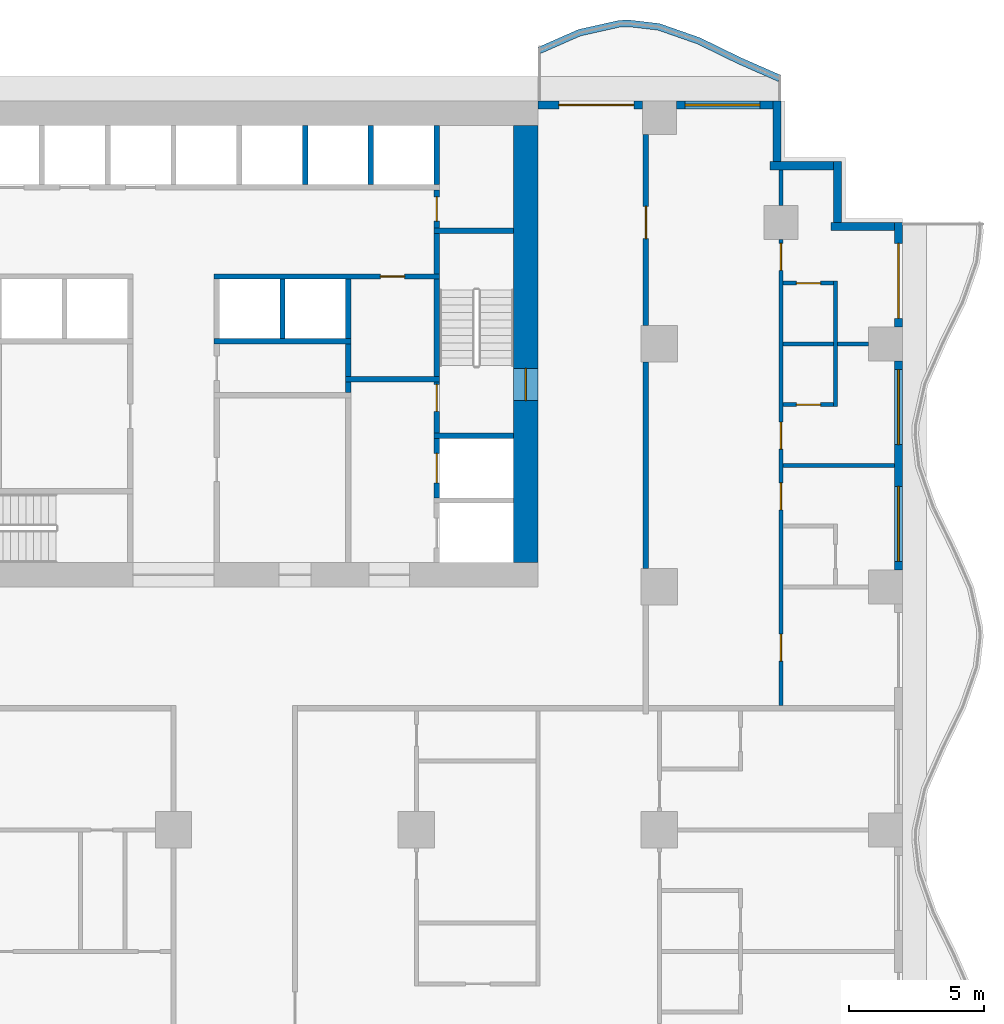
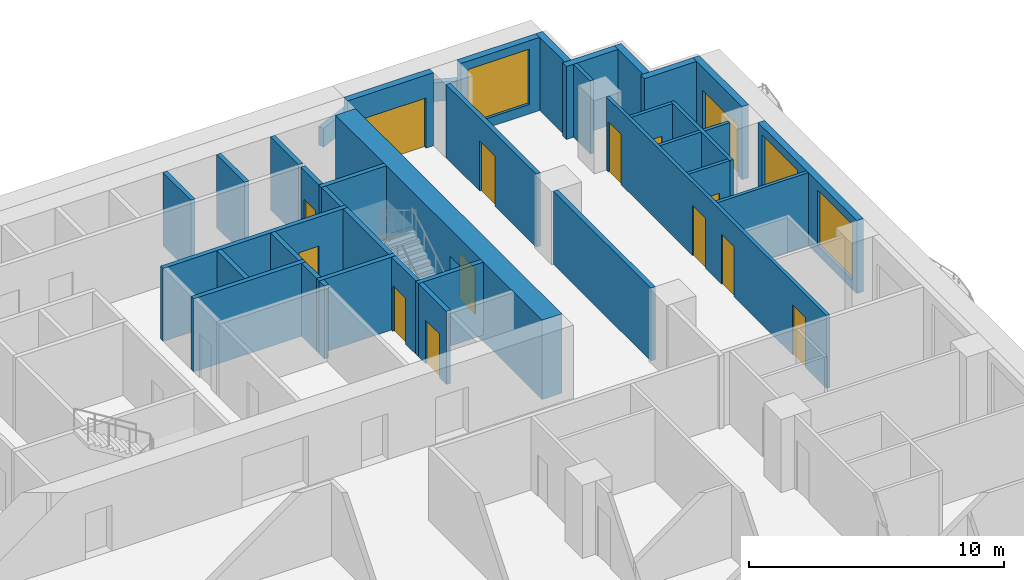
# One storey, part 6 of 14: 37 walls, 14 doors, 3 windows, 17 openings.
"""IFC4 building model written with IfcOpenShell, lengths in metres."""

from ifc_helpers import new_model, si_unit, direction, frame, frame_2d, origin, place, context, subcontext, project, spatial, polyline, rectangle, outline, extrude, material, layer, layer_set, type_object, element, fill, save


model = new_model("IFC4")

# Units and contexts
model_context = context("Model", 3, precision=1e-05, world=origin(), true_north=direction((0.0, 1.0)))
body_context = subcontext(model_context, "Body", "Model", "MODEL_VIEW")
ifc_project = project(units=[si_unit("LENGTHUNIT", "METRE"), si_unit("AREAUNIT", "SQUARE_METRE"), si_unit("VOLUMEUNIT", "CUBIC_METRE"), si_unit("PLANEANGLEUNIT", "RADIAN"), si_unit("MASSUNIT", "GRAM", prefix="KILO")], contexts=[model_context])

# Site, building, storey
site_placement = place(None, origin())
site = spatial("IfcSite", under=ifc_project, at=site_placement, CompositionType="ELEMENT")
building_placement = place(site_placement, origin())
building = spatial("IfcBuilding", under=site, at=building_placement, Name="Orbiselva Terraces", CompositionType="ELEMENT")
storey_placement = place(building_placement, frame((0.0, 0.0, 103.6)))
storey = spatial("IfcBuildingStorey", under=building, at=storey_placement, Name="L26", CompositionType="ELEMENT", Elevation=103.6)

# Wall, opening, door
ifc_material_1 = material(Name="Concrete C80/95", Category="concrete")
ifc_layer_1 = layer(ifc_material_1, 0.9)
ifc_layer_set_1 = layer_set([ifc_layer_1], Name="Concrete C80/95")
wall_type_1 = type_object("IfcWallType", Name="CORE WALL 900", PredefinedType="SHEAR", material=ifc_layer_set_1)
wall_1_placement = place(storey_placement, frame((13.05, 5.4, -0.3), z_axis=(0.0, 0.0, 1.0), x_axis=(0.0, 1.0, 0.0)))
wall_1 = element("IfcWall", 1, at=wall_1_placement, inside=storey, type_object=wall_type_1, Name="Core wall L26 east", PredefinedType="SHEAR", context=body_context, shape_type="SweptSolid", body=[
    extrude(rectangle(XDim=16.2, YDim=0.9, at=frame_2d((8.1, 0.0))), origin(), (0.0, 0.0, 1.0), 3.8),
])
opening_1_placement = place(wall_1_placement, frame((6.0, 0.0, 0.3)))
opening_1 = element("IfcOpeningElement", 2, at=opening_1_placement, cuts=wall_1, Name="Opening DS1200", PredefinedType="OPENING", context=body_context, shape_type="SweptSolid", body=[
    extrude(rectangle(XDim=1.2, YDim=2.2, at=frame_2d((0.6, 1.1))), frame((0.0, 0.46, 0.0), z_axis=(0.0, -1.0, 0.0), x_axis=(1.0, 0.0, 0.0)), (0.0, 0.0, 1.0), 0.92),
])
ifc_material_2 = material(Name="Steel fire door", Category="steel")
door_type_1 = type_object("IfcDoorType", Name="STAIR DOOR 1200", OperationType="NOTDEFINED", PredefinedType="DOOR", material=ifc_material_2)
door_1_placement = place(opening_1_placement, frame((1.2, 0.0, 0.0), z_axis=(0.0, 0.0, 1.0), x_axis=(-1.0, 0.0, 0.0)))
door_1 = element("IfcDoor", 3, at=door_1_placement, inside=storey, type_object=door_type_1, Name="L26 EXIT STAIR S2 door", OperationType="SINGLE_SWING_LEFT", OverallHeight=2.2, OverallWidth=1.2, PredefinedType="DOOR", context=body_context, shape_type="SweptSolid", body=[
    extrude(rectangle(XDim=1.2, YDim=2.2, at=frame_2d((0.6, 1.1))), frame((0.0, 0.025, 0.0), z_axis=(0.0, -1.0, 0.0), x_axis=(1.0, 0.0, 0.0)), (0.0, 0.0, 1.0), 0.05),
])
fill(opening_1, door_1)

# Wall
ifc_material_3 = material(Name="Masonry blockwork", Category="masonry")
ifc_layer_2 = layer(ifc_material_3, 0.2)
ifc_layer_set_2 = layer_set([ifc_layer_2], Name="Masonry blockwork")
wall_type_2 = type_object("IfcWallType", Name="CORE-WALL-PARTITION-200", PredefinedType="PARTITIONING", material=ifc_layer_set_2)
wall_2_placement = place(storey_placement, frame((6.475, 12.3, 0.0), z_axis=(0.0, 0.0, 1.0), x_axis=(0.0, 1.0, 0.0)))
element("IfcWall", 4, at=wall_2_placement, inside=storey, type_object=wall_type_2, Name="L26 core wall 35", PredefinedType="PARTITIONING", context=body_context, shape_type="SweptSolid", body=[
    extrude(rectangle(XDim=1.2, YDim=0.2, at=frame_2d((0.6, 0.0))), origin(), (0.0, 0.0, 1.0), 3.5),
])

# Wall, opening, door
wall_3_placement = place(storey_placement, frame((9.75, 19.2, 0.0), z_axis=(0.0, 0.0, 1.0), x_axis=(0.0, -1.0, 0.0)))
wall_3 = element("IfcWall", 5, at=wall_3_placement, inside=storey, type_object=wall_type_2, Name="L26 core wall 46", PredefinedType="PARTITIONING", context=body_context, shape_type="SweptSolid", body=[
    extrude(rectangle(XDim=1.4, YDim=0.2, at=frame_2d((0.7, 0.0))), origin(), (0.0, 0.0, 1.0), 3.5),
])
opening_2_placement = place(wall_3_placement, frame((0.25, 0.0, 0.0)))
opening_2 = element("IfcOpeningElement", 6, at=opening_2_placement, cuts=wall_3, Name="Opening DR900", PredefinedType="OPENING", context=body_context, shape_type="SweptSolid", body=[
    extrude(rectangle(XDim=0.9, YDim=2.1, at=frame_2d((0.45, 1.05))), frame((0.0, 0.11, 0.0), z_axis=(0.0, -1.0, 0.0), x_axis=(1.0, 0.0, 0.0)), (0.0, 0.0, 1.0), 0.22),
])
door_type_2 = type_object("IfcDoorType", Name="ROOM DOOR 900", OperationType="NOTDEFINED", PredefinedType="DOOR", material=ifc_material_2)
door_2_placement = place(opening_2_placement, origin())
door_2 = element("IfcDoor", 7, at=door_2_placement, inside=storey, type_object=door_type_2, Name="L26 COMMS RISER ROOM door", OperationType="SINGLE_SWING_RIGHT", OverallHeight=2.1, OverallWidth=0.9, PredefinedType="DOOR", context=body_context, shape_type="SweptSolid", body=[
    extrude(rectangle(XDim=0.9, YDim=2.1, at=frame_2d((0.45, 1.05))), frame((0.0, 0.025, 0.0), z_axis=(0.0, -1.0, 0.0), x_axis=(1.0, 0.0, 0.0)), (0.0, 0.0, 1.0), 0.05),
])
fill(opening_2, door_2)

# Walls
ifc_material_4 = material(Name="Concrete C40/50", Category="concrete")
ifc_layer_3 = layer(ifc_material_4, 0.2)
ifc_layer_set_3 = layer_set([ifc_layer_3], Name="Concrete C40/50")
wall_type_3 = type_object("IfcWallType", Name="CORE-WALL-SHAFT-200", PredefinedType="PARTITIONING", material=ifc_layer_set_3)
for number, where, z_axis, x_axis, name in (
    (8, (4.0375, 13.7, 0.0), (0.0, 0.0, 1.0), (0.0, 1.0, 0.0), "L26 core wall 30"),
    (9, (4.875, 19.4, 0.0), (0.0, 0.0, 1.0), (0.0, 1.0, 0.0), "L26 core wall 31"),
    (10, (6.475, 13.7, 0.0), (0.0, 0.0, 1.0), (0.0, 1.0, 0.0), "L26 core wall 36"),
    (11, (7.3125, 19.4, 0.0), (0.0, 0.0, 1.0), (0.0, 1.0, 0.0), "L26 core wall 37"),
    (12, (9.75, 19.4, 0.0), (0.0, 0.0, 1.0), (0.0, 1.0, 0.0), "L26 core wall 47"),
):
    element("IfcWall", number, at=place(storey_placement, frame(where, z_axis=z_axis, x_axis=x_axis)), inside=storey, type_object=wall_type_3, Name=name, PredefinedType="PARTITIONING", context=body_context, shape_type="SweptSolid", body=[
        extrude(rectangle(XDim=2.2, YDim=0.2, at=frame_2d((1.1, 0.0))), origin(), (0.0, 0.0, 1.0), 3.5),
    ])
ifc_material_5 = material(Name="Concrete C60/75", Category="concrete")
ifc_layer_4 = layer(ifc_material_5, 0.2)
ifc_layer_set_4 = layer_set([ifc_layer_4], Name="Concrete C60/75")
wall_type_4 = type_object("IfcWallType", Name="CORE-WALL-SHEAR-200", PredefinedType="SHEAR", material=ifc_layer_set_4)
wall_4_placement = place(storey_placement, frame((1.5, 13.6, 0.0), z_axis=(0.0, 0.0, 1.0), x_axis=(1.0, 0.0, 0.0)))
element("IfcWall", 13, at=wall_4_placement, inside=storey, type_object=wall_type_4, Name="L26 core wall 26", PredefinedType="SHEAR", context=body_context, shape_type="SweptSolid", body=[
    extrude(rectangle(XDim=5.075, YDim=0.2, at=frame_2d((2.5375, 0.0))), origin(), (0.0, 0.0, 1.0), 3.5),
])

# Wall, opening, door
wall_5_placement = place(storey_placement, frame((9.85, 16.0, 0.0), z_axis=(0.0, 0.0, 1.0), x_axis=(-1.0, 0.0, 0.0)))
wall_5 = element("IfcWall", 14, at=wall_5_placement, inside=storey, type_object=wall_type_4, Name="L26 core wall 28", PredefinedType="SHEAR", context=body_context, shape_type="SweptSolid", body=[
    extrude(rectangle(XDim=8.35, YDim=0.2, at=frame_2d((4.175, 0.0))), origin(), (0.0, 0.0, 1.0), 3.5),
])
opening_3_placement = place(wall_5_placement, frame((1.2875, 0.0, 0.0)))
opening_3 = element("IfcOpeningElement", 15, at=opening_3_placement, cuts=wall_5, Name="Opening DR900", PredefinedType="OPENING", context=body_context, shape_type="SweptSolid", body=[
    extrude(rectangle(XDim=0.9, YDim=2.1, at=frame_2d((0.45, 1.05))), frame((0.0, 0.11, 0.0), z_axis=(0.0, -1.0, 0.0), x_axis=(1.0, 0.0, 0.0)), (0.0, 0.0, 1.0), 0.22),
])
door_3_placement = place(opening_3_placement, origin())
door_3 = element("IfcDoor", 16, at=door_3_placement, inside=storey, type_object=door_type_2, Name="L26 PIPE RISER ROOM door", OperationType="SINGLE_SWING_LEFT", OverallHeight=2.1, OverallWidth=0.9, PredefinedType="DOOR", context=body_context, shape_type="SweptSolid", body=[
    extrude(rectangle(XDim=0.9, YDim=2.1, at=frame_2d((0.45, 1.05))), frame((0.0, 0.025, 0.0), z_axis=(0.0, -1.0, 0.0), x_axis=(1.0, 0.0, 0.0)), (0.0, 0.0, 1.0), 0.05),
])
fill(opening_3, door_3)

# Walls
wall_6_placement = place(storey_placement, frame((6.475, 11.7, 0.0), z_axis=(0.0, 0.0, 1.0), x_axis=(0.0, 1.0, 0.0)))
element("IfcWall", 17, at=wall_6_placement, inside=storey, type_object=wall_type_4, Name="L26 core wall 33", PredefinedType="SHEAR", context=body_context, shape_type="SweptSolid", body=[
    extrude(rectangle(XDim=0.4, YDim=0.2, at=frame_2d((0.2, 0.0))), origin(), (0.0, 0.0, 1.0), 3.5),
])
wall_7_placement = place(storey_placement, frame((6.375, 12.2, 0.0), z_axis=(0.0, 0.0, 1.0), x_axis=(1.0, 0.0, 0.0)))
element("IfcWall", 18, at=wall_7_placement, inside=storey, type_object=wall_type_4, Name="L26 core wall 34", PredefinedType="SHEAR", context=body_context, shape_type="SweptSolid", body=[
    extrude(rectangle(XDim=3.475, YDim=0.2, at=frame_2d((1.7375, 0.0))), origin(), (0.0, 0.0, 1.0), 3.5),
])

# Wall, opening, door
wall_8_placement = place(storey_placement, frame((9.75, 7.8, 0.0), z_axis=(0.0, 0.0, 1.0), x_axis=(0.0, 1.0, 0.0)))
wall_8 = element("IfcWall", 19, at=wall_8_placement, inside=storey, type_object=wall_type_4, Name="L26 core wall 40", PredefinedType="SHEAR", context=body_context, shape_type="SweptSolid", body=[
    extrude(rectangle(XDim=2.2, YDim=0.2, at=frame_2d((1.1, 0.0))), origin(), (0.0, 0.0, 1.0), 3.5),
])
opening_4_placement = place(wall_8_placement, frame((0.55, 0.0, 0.0)))
opening_4 = element("IfcOpeningElement", 20, at=opening_4_placement, cuts=wall_8, Name="Opening LD-FF2", PredefinedType="OPENING", context=body_context, shape_type="SweptSolid", body=[
    extrude(rectangle(XDim=1.1, YDim=2.1, at=frame_2d((0.55, 1.05))), frame((0.0, 0.11, 0.0), z_axis=(0.0, -1.0, 0.0), x_axis=(1.0, 0.0, 0.0)), (0.0, 0.0, 1.0), 0.22),
])
ifc_material_6 = material(Name="Stainless steel landing door", Category="steel")
door_type_3 = type_object("IfcDoorType", Name="LANDING DOOR 1100", OperationType="SLIDING_TO_LEFT", PredefinedType="DOOR", material=ifc_material_6)
door_4_placement = place(opening_4_placement, origin())
door_4 = element("IfcDoor", 21, at=door_4_placement, inside=storey, type_object=door_type_3, Name="L26 landing door FF2", OperationType="SLIDING_TO_RIGHT", OverallHeight=2.1, OverallWidth=1.1, PredefinedType="DOOR", context=body_context, shape_type="SweptSolid", body=[
    extrude(rectangle(XDim=1.1, YDim=2.1, at=frame_2d((0.55, 1.05))), frame((0.0, 0.025, 0.0), z_axis=(0.0, -1.0, 0.0), x_axis=(1.0, 0.0, 0.0)), (0.0, 0.0, 1.0), 0.05),
])
fill(opening_4, door_4)

# Wall
wall_9_placement = place(storey_placement, frame((9.65, 10.1, 0.0), z_axis=(0.0, 0.0, 1.0), x_axis=(1.0, 0.0, 0.0)))
element("IfcWall", 22, at=wall_9_placement, inside=storey, type_object=wall_type_4, Name="L26 core wall 41", PredefinedType="SHEAR", context=body_context, shape_type="SweptSolid", body=[
    extrude(rectangle(XDim=2.95, YDim=0.2, at=frame_2d((1.475, 0.0))), origin(), (0.0, 0.0, 1.0), 3.5),
])

# Wall, opening, door
wall_10_placement = place(storey_placement, frame((9.75, 12.1, 0.0), z_axis=(0.0, 0.0, 1.0), x_axis=(0.0, -1.0, 0.0)))
wall_10 = element("IfcWall", 23, at=wall_10_placement, inside=storey, type_object=wall_type_4, Name="L26 core wall 42", PredefinedType="SHEAR", context=body_context, shape_type="SweptSolid", body=[
    extrude(rectangle(XDim=1.9, YDim=0.2, at=frame_2d((0.95, 0.0))), origin(), (0.0, 0.0, 1.0), 3.5),
])
opening_5_placement = place(wall_10_placement, frame((0.1, 0.0, 0.0)))
opening_5 = element("IfcOpeningElement", 24, at=opening_5_placement, cuts=wall_10, Name="Opening DS1000", PredefinedType="OPENING", context=body_context, shape_type="SweptSolid", body=[
    extrude(rectangle(XDim=1.0, YDim=2.2, at=frame_2d((0.5, 1.1))), frame((0.0, 0.11, 0.0), z_axis=(0.0, -1.0, 0.0), x_axis=(1.0, 0.0, 0.0)), (0.0, 0.0, 1.0), 0.22),
])
door_type_4 = type_object("IfcDoorType", Name="STAIR DOOR 1000", OperationType="NOTDEFINED", PredefinedType="DOOR", material=ifc_material_2)
door_5_placement = place(opening_5_placement, origin())
door_5 = element("IfcDoor", 25, at=door_5_placement, inside=storey, type_object=door_type_4, Name="L26 FIRE-FIGHTING LOBBY TO EXIT STAIR S2 door", OperationType="SINGLE_SWING_LEFT", OverallHeight=2.2, OverallWidth=1.0, PredefinedType="DOOR", context=body_context, shape_type="SweptSolid", body=[
    extrude(rectangle(XDim=1.0, YDim=2.2, at=frame_2d((0.5, 1.1))), frame((0.0, 0.025, 0.0), z_axis=(0.0, -1.0, 0.0), x_axis=(1.0, 0.0, 0.0)), (0.0, 0.0, 1.0), 0.05),
])
fill(opening_5, door_5)

# Walls
wall_11_placement = place(storey_placement, frame((9.75, 12.3, 0.0), z_axis=(0.0, 0.0, 1.0), x_axis=(0.0, 1.0, 0.0)))
element("IfcWall", 26, at=wall_11_placement, inside=storey, type_object=wall_type_4, Name="L26 core wall 43", PredefinedType="SHEAR", context=body_context, shape_type="SweptSolid", body=[
    extrude(rectangle(XDim=3.6, YDim=0.2, at=frame_2d((1.8, 0.0))), origin(), (0.0, 0.0, 1.0), 3.5),
])
wall_12_placement = place(storey_placement, frame((9.75, 16.1, 0.0), z_axis=(0.0, 0.0, 1.0), x_axis=(0.0, 1.0, 0.0)))
element("IfcWall", 27, at=wall_12_placement, inside=storey, type_object=wall_type_4, Name="L26 core wall 44", PredefinedType="SHEAR", context=body_context, shape_type="SweptSolid", body=[
    extrude(rectangle(XDim=1.5, YDim=0.2, at=frame_2d((0.75, 0.0))), origin(), (0.0, 0.0, 1.0), 3.5),
])
wall_13_placement = place(storey_placement, frame((9.65, 17.7, 0.0), z_axis=(0.0, 0.0, 1.0), x_axis=(1.0, 0.0, 0.0)))
element("IfcWall", 28, at=wall_13_placement, inside=storey, type_object=wall_type_4, Name="L26 core wall 45", PredefinedType="SHEAR", context=body_context, shape_type="SweptSolid", body=[
    extrude(rectangle(XDim=2.95, YDim=0.2, at=frame_2d((1.475, 0.0))), origin(), (0.0, 0.0, 1.0), 3.5),
])
ifc_layer_5 = layer(ifc_material_4, 0.25)
ifc_layer_set_5 = layer_set([ifc_layer_5], Name="Concrete C40/50")
wall_type_5 = type_object("IfcWallType", Name="ENV-PLANTER-250x900", PredefinedType="USERDEFINED", material=ifc_layer_set_5)
wall_14_placement = place(storey_placement, origin())
element("IfcWall", 29, at=wall_14_placement, inside=storey, type_object=wall_type_5, Name="Balcony planter L26 NE", ObjectType="PLANTER", PredefinedType="USERDEFINED", context=body_context, shape_type="SweptSolid", body=[
    extrude(outline(polyline([(22.5, 23.451472), (21.0, 24.112279), (19.5, 24.844789), (18.0, 25.369208), (16.875, 25.5), (16.5, 25.485226), (15.0, 25.148528), (13.5, 24.487721), (13.600788, 24.258938), (15.078508, 24.90993), (16.532565, 25.236315), (16.865428, 25.249429), (17.943629, 25.124078), (19.40356, 24.613667), (20.894714, 23.885477), (22.399212, 23.222689), (22.5, 23.451472)])), origin(), (0.0, 0.0, 1.0), 0.9),
])

# Wall, openings, windows
ifc_material_7 = material(Name="Terracotta cladding on masonry backing", Category="masonry")
ifc_layer_6 = layer(ifc_material_7, 0.3)
ifc_layer_set_6 = layer_set([ifc_layer_6], Name="Terracotta cladding on masonry backing")
wall_type_6 = type_object("IfcWallType", Name="ENV-WALL-TERRACOTTA-300", PredefinedType="SOLIDWALL", material=ifc_layer_set_6)
wall_15_placement = place(storey_placement, frame((26.85, 12.875, 0.0), z_axis=(0.0, 0.0, 1.0), x_axis=(0.0, -1.0, 0.0)))
wall_15 = element("IfcWall", 30, at=wall_15_placement, inside=storey, type_object=wall_type_6, Name="Facade wall L26 E", PredefinedType="SOLIDWALL", context=body_context, shape_type="SweptSolid", body=[
    extrude(rectangle(XDim=7.75, YDim=0.3, at=frame_2d((3.875, 0.0))), origin(), (0.0, 0.0, 1.0), 3.5),
])
opening_6_placement = place(wall_15_placement, frame((4.65, 0.0, 0.45)))
opening_6 = element("IfcOpeningElement", 31, at=opening_6_placement, cuts=wall_15, Name="Opening WN6", PredefinedType="OPENING", context=body_context, shape_type="SweptSolid", body=[
    extrude(rectangle(XDim=2.775, YDim=2.65, at=frame_2d((1.3875, 1.325))), frame((0.0, 0.16, 0.0), z_axis=(0.0, -1.0, 0.0), x_axis=(1.0, 0.0, 0.0)), (0.0, 0.0, 1.0), 0.32),
])
opening_7_placement = place(wall_15_placement, frame((0.325, 0.0, 0.45)))
opening_7 = element("IfcOpeningElement", 32, at=opening_7_placement, cuts=wall_15, Name="Opening WN6", PredefinedType="OPENING", context=body_context, shape_type="SweptSolid", body=[
    extrude(rectangle(XDim=2.775, YDim=2.65, at=frame_2d((1.3875, 1.325))), frame((0.0, 0.16, 0.0), z_axis=(0.0, -1.0, 0.0), x_axis=(1.0, 0.0, 0.0)), (0.0, 0.0, 1.0), 0.32),
])
ifc_material_8 = material(Name="Clear low-e glazing in aluminium frame", Category="aluminium")
window_type = type_object("IfcWindowType", Name="WINDOW 2775 X 2650 S450", PartitioningType="TRIPLE_PANEL_VERTICAL", PredefinedType="WINDOW", material=ifc_material_8)
window_1_placement = place(opening_6_placement, origin())
window_1 = element("IfcWindow", 33, at=window_1_placement, inside=storey, type_object=window_type, Name="Window L26 E", OverallHeight=2.65, OverallWidth=2.775, PartitioningType="SINGLE_PANEL", PredefinedType="WINDOW", context=body_context, shape_type="SweptSolid", body=[
    extrude(rectangle(XDim=2.775, YDim=2.65, at=frame_2d((1.3875, 1.325))), frame((0.0, 0.03, 0.0), z_axis=(0.0, -1.0, 0.0), x_axis=(1.0, 0.0, 0.0)), (0.0, 0.0, 1.0), 0.06),
])
fill(opening_6, window_1)
window_2_placement = place(opening_7_placement, origin())
window_2 = element("IfcWindow", 34, at=window_2_placement, inside=storey, type_object=window_type, Name="Window L26 E", OverallHeight=2.65, OverallWidth=2.775, PartitioningType="SINGLE_PANEL", PredefinedType="WINDOW", context=body_context, shape_type="SweptSolid", body=[
    extrude(rectangle(XDim=2.775, YDim=2.65, at=frame_2d((1.3875, 1.325))), frame((0.0, 0.03, 0.0), z_axis=(0.0, -1.0, 0.0), x_axis=(1.0, 0.0, 0.0)), (0.0, 0.0, 1.0), 0.06),
])
fill(opening_7, window_2)

# Wall, opening, door
wall_16_placement = place(storey_placement, frame((26.85, 18.0, 0.0), z_axis=(0.0, 0.0, 1.0), x_axis=(0.0, -1.0, 0.0)))
wall_16 = element("IfcWall", 35, at=wall_16_placement, inside=storey, type_object=wall_type_6, Name="Facade wall L26 E", PredefinedType="SOLIDWALL", context=body_context, shape_type="SweptSolid", body=[
    extrude(rectangle(XDim=3.875, YDim=0.3, at=frame_2d((1.9375, 0.0))), origin(), (0.0, 0.0, 1.0), 3.5),
])
opening_8_placement = place(wall_16_placement, frame((0.775, 0.0, 0.0)))
opening_8 = element("IfcOpeningElement", 36, at=opening_8_placement, cuts=wall_16, Name="Opening Z2-D-E07", PredefinedType="OPENING", context=body_context, shape_type="SweptSolid", body=[
    extrude(rectangle(XDim=2.775, YDim=2.4, at=frame_2d((1.3875, 1.2))), frame((0.0, 0.16, 0.0), z_axis=(0.0, -1.0, 0.0), x_axis=(1.0, 0.0, 0.0)), (0.0, 0.0, 1.0), 0.32),
])
door_type_5 = type_object("IfcDoorType", Name="BALCONY DOOR 2775 X 2400", OperationType="DOUBLE_DOOR_SLIDING", PredefinedType="DOOR", material=ifc_material_8)
door_6_placement = place(opening_8_placement, origin())
door_6 = element("IfcDoor", 37, at=door_6_placement, inside=storey, type_object=door_type_5, Name="Z2-D-E07", OperationType="SINGLE_SWING_LEFT", OverallHeight=2.4, OverallWidth=2.775, PredefinedType="DOOR", context=body_context, shape_type="SweptSolid", body=[
    extrude(rectangle(XDim=2.775, YDim=2.4, at=frame_2d((1.3875, 1.2))), frame((0.0, 0.025, 0.0), z_axis=(0.0, -1.0, 0.0), x_axis=(1.0, 0.0, 0.0)), (0.0, 0.0, 1.0), 0.05),
])
fill(opening_8, door_6)

# Walls
wall_17_placement = place(storey_placement, frame((24.35, 17.85, 0.0), z_axis=(0.0, 0.0, 1.0), x_axis=(1.0, 0.0, 0.0)))
element("IfcWall", 38, at=wall_17_placement, inside=storey, type_object=wall_type_6, Name="Facade wall L26 STEP", PredefinedType="SOLIDWALL", context=body_context, shape_type="SweptSolid", body=[
    extrude(rectangle(XDim=2.35, YDim=0.3, at=frame_2d((1.175, 0.0))), origin(), (0.0, 0.0, 1.0), 3.5),
])
wall_18_placement = place(storey_placement, frame((24.6, 20.25, 0.0), z_axis=(0.0, 0.0, 1.0), x_axis=(0.0, -1.0, 0.0)))
element("IfcWall", 39, at=wall_18_placement, inside=storey, type_object=wall_type_6, Name="Facade wall L26 STEP", PredefinedType="SOLIDWALL", context=body_context, shape_type="SweptSolid", body=[
    extrude(rectangle(XDim=2.25, YDim=0.3, at=frame_2d((1.125, 0.0))), origin(), (0.0, 0.0, 1.0), 3.5),
])
wall_19_placement = place(storey_placement, frame((22.1, 20.1, 0.0), z_axis=(0.0, 0.0, 1.0), x_axis=(1.0, 0.0, 0.0)))
element("IfcWall", 40, at=wall_19_placement, inside=storey, type_object=wall_type_6, Name="Facade wall L26 STEP", PredefinedType="SOLIDWALL", context=body_context, shape_type="SweptSolid", body=[
    extrude(rectangle(XDim=2.35, YDim=0.3, at=frame_2d((1.175, 0.0))), origin(), (0.0, 0.0, 1.0), 3.5),
])
wall_20_placement = place(storey_placement, frame((22.35, 22.5, 0.0), z_axis=(0.0, 0.0, 1.0), x_axis=(0.0, -1.0, 0.0)))
element("IfcWall", 41, at=wall_20_placement, inside=storey, type_object=wall_type_6, Name="Facade wall L26 STEP", PredefinedType="SOLIDWALL", context=body_context, shape_type="SweptSolid", body=[
    extrude(rectangle(XDim=2.25, YDim=0.3, at=frame_2d((1.125, 0.0))), origin(), (0.0, 0.0, 1.0), 3.5),
])

# Wall, opening, window
wall_21_placement = place(storey_placement, frame((18.625, 22.35, 0.0), z_axis=(0.0, 0.0, 1.0), x_axis=(1.0, 0.0, 0.0)))
wall_21 = element("IfcWall", 42, at=wall_21_placement, inside=storey, type_object=wall_type_6, Name="Facade wall L26 NE", PredefinedType="SOLIDWALL", context=body_context, shape_type="SweptSolid", body=[
    extrude(rectangle(XDim=3.575, YDim=0.3, at=frame_2d((1.7875, 0.0))), origin(), (0.0, 0.0, 1.0), 3.5),
])
opening_9_placement = place(wall_21_placement, frame((0.325, 0.0, 0.45)))
opening_9 = element("IfcOpeningElement", 43, at=opening_9_placement, cuts=wall_21, Name="Opening WN6", PredefinedType="OPENING", context=body_context, shape_type="SweptSolid", body=[
    extrude(rectangle(XDim=2.775, YDim=2.65, at=frame_2d((1.3875, 1.325))), frame((0.0, 0.16, 0.0), z_axis=(0.0, -1.0, 0.0), x_axis=(1.0, 0.0, 0.0)), (0.0, 0.0, 1.0), 0.32),
])
window_3_placement = place(opening_9_placement, origin())
window_3 = element("IfcWindow", 44, at=window_3_placement, inside=storey, type_object=window_type, Name="Window L26 NE", OverallHeight=2.65, OverallWidth=2.775, PartitioningType="SINGLE_PANEL", PredefinedType="WINDOW", context=body_context, shape_type="SweptSolid", body=[
    extrude(rectangle(XDim=2.775, YDim=2.65, at=frame_2d((1.3875, 1.325))), frame((0.0, 0.03, 0.0), z_axis=(0.0, -1.0, 0.0), x_axis=(1.0, 0.0, 0.0)), (0.0, 0.0, 1.0), 0.06),
])
fill(opening_9, window_3)

# Wall, opening, door
wall_22_placement = place(storey_placement, frame((13.5, 22.35, 0.0), z_axis=(0.0, 0.0, 1.0), x_axis=(1.0, 0.0, 0.0)))
wall_22 = element("IfcWall", 45, at=wall_22_placement, inside=storey, type_object=wall_type_6, Name="Facade wall L26 NE", PredefinedType="SOLIDWALL", context=body_context, shape_type="SweptSolid", body=[
    extrude(rectangle(XDim=3.875, YDim=0.3, at=frame_2d((1.9375, 0.0))), origin(), (0.0, 0.0, 1.0), 3.5),
])
opening_10_placement = place(wall_22_placement, frame((0.775, 0.0, 0.0)))
opening_10 = element("IfcOpeningElement", 46, at=opening_10_placement, cuts=wall_22, Name="Opening Z2-D-E08", PredefinedType="OPENING", context=body_context, shape_type="SweptSolid", body=[
    extrude(rectangle(XDim=2.775, YDim=2.4, at=frame_2d((1.3875, 1.2))), frame((0.0, 0.16, 0.0), z_axis=(0.0, -1.0, 0.0), x_axis=(1.0, 0.0, 0.0)), (0.0, 0.0, 1.0), 0.32),
])
door_7_placement = place(opening_10_placement, origin())
door_7 = element("IfcDoor", 47, at=door_7_placement, inside=storey, type_object=door_type_5, Name="Z2-D-E08", OperationType="SINGLE_SWING_LEFT", OverallHeight=2.4, OverallWidth=2.775, PredefinedType="DOOR", context=body_context, shape_type="SweptSolid", body=[
    extrude(rectangle(XDim=2.775, YDim=2.4, at=frame_2d((1.3875, 1.2))), frame((0.0, 0.025, 0.0), z_axis=(0.0, -1.0, 0.0), x_axis=(1.0, 0.0, 0.0)), (0.0, 0.0, 1.0), 0.05),
])
fill(opening_10, door_7)

# Wall
ifc_material_9 = material(Name="Plasterboard on steel stud partition", Category="steel")
ifc_layer_7 = layer(ifc_material_9, 0.2)
ifc_layer_set_7 = layer_set([ifc_layer_7], Name="Plasterboard on steel stud partition")
wall_type_7 = type_object("IfcWallType", Name="UNIT-ENTRANCE-WALL-200", PredefinedType="PARTITIONING", material=ifc_layer_set_7)
wall_23_placement = place(storey_placement, frame((17.5, 5.175, 0.0), z_axis=(0.0, 0.0, 1.0), x_axis=(0.0, 1.0, 0.0)))
element("IfcWall", 48, at=wall_23_placement, inside=storey, type_object=wall_type_7, Name="PARTITION L26-080", PredefinedType="PARTITIONING", context=body_context, shape_type="SweptSolid", body=[
    extrude(rectangle(XDim=7.65, YDim=0.2, at=frame_2d((3.825, 0.0))), origin(), (0.0, 0.0, 1.0), 3.5),
])

# Wall, opening, door
wall_24_placement = place(storey_placement, frame((17.5, 21.25, 0.0), z_axis=(0.0, 0.0, 1.0), x_axis=(0.0, -1.0, 0.0)))
wall_24 = element("IfcWall", 49, at=wall_24_placement, inside=storey, type_object=wall_type_7, Name="PARTITION L26-081", PredefinedType="PARTITIONING", context=body_context, shape_type="SweptSolid", body=[
    extrude(rectangle(XDim=7.075, YDim=0.2, at=frame_2d((3.5375, 0.0))), origin(), (0.0, 0.0, 1.0), 3.5),
])
opening_11_placement = place(wall_24_placement, frame((2.65, 0.0, 0.0)))
opening_11 = element("IfcOpeningElement", 50, at=opening_11_placement, cuts=wall_24, Name="Opening Z2-D-07", PredefinedType="OPENING", context=body_context, shape_type="SweptSolid", body=[
    extrude(rectangle(XDim=1.2, YDim=2.4, at=frame_2d((0.6, 1.2))), frame((0.0, 0.11, 0.0), z_axis=(0.0, -1.0, 0.0), x_axis=(1.0, 0.0, 0.0)), (0.0, 0.0, 1.0), 0.22),
])
ifc_material_10 = material(Name="Painted timber door leaf", Category="wood")
door_type_6 = type_object("IfcDoorType", Name="ENTRANCE DOOR 1200", OperationType="NOTDEFINED", PredefinedType="DOOR", material=ifc_material_10)
door_8_placement = place(opening_11_placement, origin())
door_8 = element("IfcDoor", 51, at=door_8_placement, inside=storey, type_object=door_type_6, Name="Z2-D-07", OperationType="SINGLE_SWING_LEFT", OverallHeight=2.4, OverallWidth=1.2, PredefinedType="DOOR", context=body_context, shape_type="SweptSolid", body=[
    extrude(rectangle(XDim=1.2, YDim=2.4, at=frame_2d((0.6, 1.2))), frame((0.0, 0.025, 0.0), z_axis=(0.0, -1.0, 0.0), x_axis=(1.0, 0.0, 0.0)), (0.0, 0.0, 1.0), 0.05),
])
fill(opening_11, door_8)

# Wall
ifc_layer_8 = layer(ifc_material_9, 0.15)
ifc_layer_set_8 = layer_set([ifc_layer_8], Name="Plasterboard on steel stud partition")
wall_type_8 = type_object("IfcWallType", Name="UNIT-PARTITION-150", PredefinedType="PARTITIONING", material=ifc_layer_set_8)
wall_25_placement = place(storey_placement, frame((22.575, 9.0, 0.0), z_axis=(0.0, 0.0, 1.0), x_axis=(1.0, 0.0, 0.0)))
element("IfcWall", 52, at=wall_25_placement, inside=storey, type_object=wall_type_8, Name="PARTITION L26-036", PredefinedType="PARTITIONING", context=body_context, shape_type="SweptSolid", body=[
    extrude(rectangle(XDim=4.125, YDim=0.15, at=frame_2d((2.0625, 0.0))), origin(), (0.0, 0.0, 1.0), 3.5),
])

# Wall, opening, door
wall_26_placement = place(storey_placement, frame((22.575, 11.25, 0.0), z_axis=(0.0, 0.0, 1.0), x_axis=(1.0, 0.0, 0.0)))
wall_26 = element("IfcWall", 53, at=wall_26_placement, inside=storey, type_object=wall_type_8, Name="PARTITION L26-038", PredefinedType="PARTITIONING", context=body_context, shape_type="SweptSolid", body=[
    extrude(rectangle(XDim=1.875, YDim=0.15, at=frame_2d((0.9375, 0.0))), origin(), (0.0, 0.0, 1.0), 3.5),
])
opening_12_placement = place(wall_26_placement, frame((0.5, 0.0, 0.0)))
opening_12 = element("IfcOpeningElement", 54, at=opening_12_placement, cuts=wall_26, Name="Opening Z2-D-12", PredefinedType="OPENING", context=body_context, shape_type="SweptSolid", body=[
    extrude(rectangle(XDim=0.9, YDim=2.1, at=frame_2d((0.45, 1.05))), frame((0.0, 0.085, 0.0), z_axis=(0.0, -1.0, 0.0), x_axis=(1.0, 0.0, 0.0)), (0.0, 0.0, 1.0), 0.17),
])
door_type_7 = type_object("IfcDoorType", Name="BATH DOOR 900", OperationType="NOTDEFINED", PredefinedType="DOOR", material=ifc_material_10)
door_9_placement = place(opening_12_placement, origin())
door_9 = element("IfcDoor", 55, at=door_9_placement, inside=storey, type_object=door_type_7, Name="Z2-D-12", OperationType="SINGLE_SWING_RIGHT", OverallHeight=2.1, OverallWidth=0.9, PredefinedType="DOOR", context=body_context, shape_type="SweptSolid", body=[
    extrude(rectangle(XDim=0.9, YDim=2.1, at=frame_2d((0.45, 1.05))), frame((0.0, 0.025, 0.0), z_axis=(0.0, -1.0, 0.0), x_axis=(1.0, 0.0, 0.0)), (0.0, 0.0, 1.0), 0.05),
])
fill(opening_12, door_9)

# Walls
wall_27_placement = place(storey_placement, frame((22.575, 13.5, 0.0), z_axis=(0.0, 0.0, 1.0), x_axis=(1.0, 0.0, 0.0)))
element("IfcWall", 56, at=wall_27_placement, inside=storey, type_object=wall_type_8, Name="PARTITION L26-041", PredefinedType="PARTITIONING", context=body_context, shape_type="SweptSolid", body=[
    extrude(rectangle(XDim=1.875, YDim=0.15, at=frame_2d((0.9375, 0.0))), origin(), (0.0, 0.0, 1.0), 3.5),
])
wall_28_placement = place(storey_placement, frame((24.6, 13.5, 0.0), z_axis=(0.0, 0.0, 1.0), x_axis=(1.0, 0.0, 0.0)))
element("IfcWall", 57, at=wall_28_placement, inside=storey, type_object=wall_type_8, Name="PARTITION L26-042", PredefinedType="PARTITIONING", context=body_context, shape_type="SweptSolid", body=[
    extrude(rectangle(XDim=1.15, YDim=0.15, at=frame_2d((0.575, 0.0))), origin(), (0.0, 0.0, 1.0), 3.5),
])

# Wall, opening, door
wall_29_placement = place(storey_placement, frame((24.45, 15.75, 0.0), z_axis=(0.0, 0.0, 1.0), x_axis=(-1.0, 0.0, 0.0)))
wall_29 = element("IfcWall", 58, at=wall_29_placement, inside=storey, type_object=wall_type_8, Name="PARTITION L26-044", PredefinedType="PARTITIONING", context=body_context, shape_type="SweptSolid", body=[
    extrude(rectangle(XDim=1.875, YDim=0.15, at=frame_2d((0.9375, 0.0))), origin(), (0.0, 0.0, 1.0), 3.5),
])
opening_13_placement = place(wall_29_placement, frame((0.475, 0.0, 0.0)))
opening_13 = element("IfcOpeningElement", 59, at=opening_13_placement, cuts=wall_29, Name="Opening Z2-D-14", PredefinedType="OPENING", context=body_context, shape_type="SweptSolid", body=[
    extrude(rectangle(XDim=0.9, YDim=2.1, at=frame_2d((0.45, 1.05))), frame((0.0, 0.085, 0.0), z_axis=(0.0, -1.0, 0.0), x_axis=(1.0, 0.0, 0.0)), (0.0, 0.0, 1.0), 0.17),
])
door_10_placement = place(opening_13_placement, origin())
door_10 = element("IfcDoor", 60, at=door_10_placement, inside=storey, type_object=door_type_7, Name="Z2-D-14", OperationType="SINGLE_SWING_LEFT", OverallHeight=2.1, OverallWidth=0.9, PredefinedType="DOOR", context=body_context, shape_type="SweptSolid", body=[
    extrude(rectangle(XDim=0.9, YDim=2.1, at=frame_2d((0.45, 1.05))), frame((0.0, 0.025, 0.0), z_axis=(0.0, -1.0, 0.0), x_axis=(1.0, 0.0, 0.0)), (0.0, 0.0, 1.0), 0.05),
])
fill(opening_13, door_10)

# Wall, openings, doors
wall_30_placement = place(storey_placement, frame((22.5, 17.375, 0.0), z_axis=(0.0, 0.0, 1.0), x_axis=(0.0, -1.0, 0.0)))
wall_30 = element("IfcWall", 61, at=wall_30_placement, inside=storey, type_object=wall_type_8, Name="PARTITION L26-088", PredefinedType="PARTITIONING", context=body_context, shape_type="SweptSolid", body=[
    extrude(rectangle(XDim=17.275, YDim=0.15, at=frame_2d((8.6375, 0.0))), origin(), (0.0, 0.0, 1.0), 3.5),
])
opening_14_placement = place(wall_30_placement, frame((14.625, 0.0, 0.0)))
opening_14 = element("IfcOpeningElement", 62, at=opening_14_placement, cuts=wall_30, Name="Opening Z2-D-08", PredefinedType="OPENING", context=body_context, shape_type="SweptSolid", body=[
    extrude(rectangle(XDim=1.0, YDim=2.4, at=frame_2d((0.5, 1.2))), frame((0.0, 0.085, 0.0), z_axis=(0.0, -1.0, 0.0), x_axis=(1.0, 0.0, 0.0)), (0.0, 0.0, 1.0), 0.17),
])
opening_15_placement = place(wall_30_placement, frame((9.025, 0.0, 0.0)))
opening_15 = element("IfcOpeningElement", 63, at=opening_15_placement, cuts=wall_30, Name="Opening Z2-D-09", PredefinedType="OPENING", context=body_context, shape_type="SweptSolid", body=[
    extrude(rectangle(XDim=1.0, YDim=2.4, at=frame_2d((0.5, 1.2))), frame((0.0, 0.085, 0.0), z_axis=(0.0, -1.0, 0.0), x_axis=(1.0, 0.0, 0.0)), (0.0, 0.0, 1.0), 0.17),
])
opening_16_placement = place(wall_30_placement, frame((6.775, 0.0, 0.0)))
opening_16 = element("IfcOpeningElement", 64, at=opening_16_placement, cuts=wall_30, Name="Opening Z2-D-11", PredefinedType="OPENING", context=body_context, shape_type="SweptSolid", body=[
    extrude(rectangle(XDim=1.0, YDim=2.4, at=frame_2d((0.5, 1.2))), frame((0.0, 0.085, 0.0), z_axis=(0.0, -1.0, 0.0), x_axis=(1.0, 0.0, 0.0)), (0.0, 0.0, 1.0), 0.17),
])
opening_17_placement = place(wall_30_placement, frame((0.15, 0.0, 0.0)))
opening_17 = element("IfcOpeningElement", 65, at=opening_17_placement, cuts=wall_30, Name="Opening Z2-D-13", PredefinedType="OPENING", context=body_context, shape_type="SweptSolid", body=[
    extrude(rectangle(XDim=1.0, YDim=2.4, at=frame_2d((0.5, 1.2))), frame((0.0, 0.085, 0.0), z_axis=(0.0, -1.0, 0.0), x_axis=(1.0, 0.0, 0.0)), (0.0, 0.0, 1.0), 0.17),
])
door_type_8 = type_object("IfcDoorType", Name="ROOM DOOR 1000", OperationType="NOTDEFINED", PredefinedType="DOOR", material=ifc_material_10)
door_11_placement = place(opening_14_placement, origin())
door_11 = element("IfcDoor", 66, at=door_11_placement, inside=storey, type_object=door_type_8, Name="Z2-D-08", OperationType="SINGLE_SWING_RIGHT", OverallHeight=2.4, OverallWidth=1.0, PredefinedType="DOOR", context=body_context, shape_type="SweptSolid", body=[
    extrude(rectangle(XDim=1.0, YDim=2.4, at=frame_2d((0.5, 1.2))), frame((0.0, 0.025, 0.0), z_axis=(0.0, -1.0, 0.0), x_axis=(1.0, 0.0, 0.0)), (0.0, 0.0, 1.0), 0.05),
])
fill(opening_14, door_11)
door_12_placement = place(opening_15_placement, origin())
door_12 = element("IfcDoor", 67, at=door_12_placement, inside=storey, type_object=door_type_8, Name="Z2-D-09", OperationType="SINGLE_SWING_RIGHT", OverallHeight=2.4, OverallWidth=1.0, PredefinedType="DOOR", context=body_context, shape_type="SweptSolid", body=[
    extrude(rectangle(XDim=1.0, YDim=2.4, at=frame_2d((0.5, 1.2))), frame((0.0, 0.025, 0.0), z_axis=(0.0, -1.0, 0.0), x_axis=(1.0, 0.0, 0.0)), (0.0, 0.0, 1.0), 0.05),
])
fill(opening_15, door_12)
door_13_placement = place(opening_16_placement, origin())
door_13 = element("IfcDoor", 68, at=door_13_placement, inside=storey, type_object=door_type_8, Name="Z2-D-11", OperationType="SINGLE_SWING_LEFT", OverallHeight=2.4, OverallWidth=1.0, PredefinedType="DOOR", context=body_context, shape_type="SweptSolid", body=[
    extrude(rectangle(XDim=1.0, YDim=2.4, at=frame_2d((0.5, 1.2))), frame((0.0, 0.025, 0.0), z_axis=(0.0, -1.0, 0.0), x_axis=(1.0, 0.0, 0.0)), (0.0, 0.0, 1.0), 0.05),
])
fill(opening_16, door_13)
door_14_placement = place(opening_17_placement, origin())
door_14 = element("IfcDoor", 69, at=door_14_placement, inside=storey, type_object=door_type_8, Name="Z2-D-13", OperationType="SINGLE_SWING_LEFT", OverallHeight=2.4, OverallWidth=1.0, PredefinedType="DOOR", context=body_context, shape_type="SweptSolid", body=[
    extrude(rectangle(XDim=1.0, YDim=2.4, at=frame_2d((0.5, 1.2))), frame((0.0, 0.025, 0.0), z_axis=(0.0, -1.0, 0.0), x_axis=(1.0, 0.0, 0.0)), (0.0, 0.0, 1.0), 0.05),
])
fill(opening_17, door_14)

# Walls
wall_31_placement = place(storey_placement, frame((22.5, 18.625, 0.0), z_axis=(0.0, 0.0, 1.0), x_axis=(0.0, 1.0, 0.0)))
element("IfcWall", 70, at=wall_31_placement, inside=storey, type_object=wall_type_8, Name="PARTITION L26-089", PredefinedType="PARTITIONING", context=body_context, shape_type="SweptSolid", body=[
    extrude(rectangle(XDim=1.325, YDim=0.15, at=frame_2d((0.6625, 0.0))), origin(), (0.0, 0.0, 1.0), 3.5),
])
wall_32_placement = place(storey_placement, frame((24.525, 11.175, 0.0), z_axis=(0.0, 0.0, 1.0), x_axis=(0.0, 1.0, 0.0)))
element("IfcWall", 71, at=wall_32_placement, inside=storey, type_object=wall_type_8, Name="PARTITION L26-091", PredefinedType="PARTITIONING", context=body_context, shape_type="SweptSolid", body=[
    extrude(rectangle(XDim=4.65, YDim=0.15, at=frame_2d((2.325, 0.0))), origin(), (0.0, 0.0, 1.0), 3.5),
])

save(model, "model.ifc")
